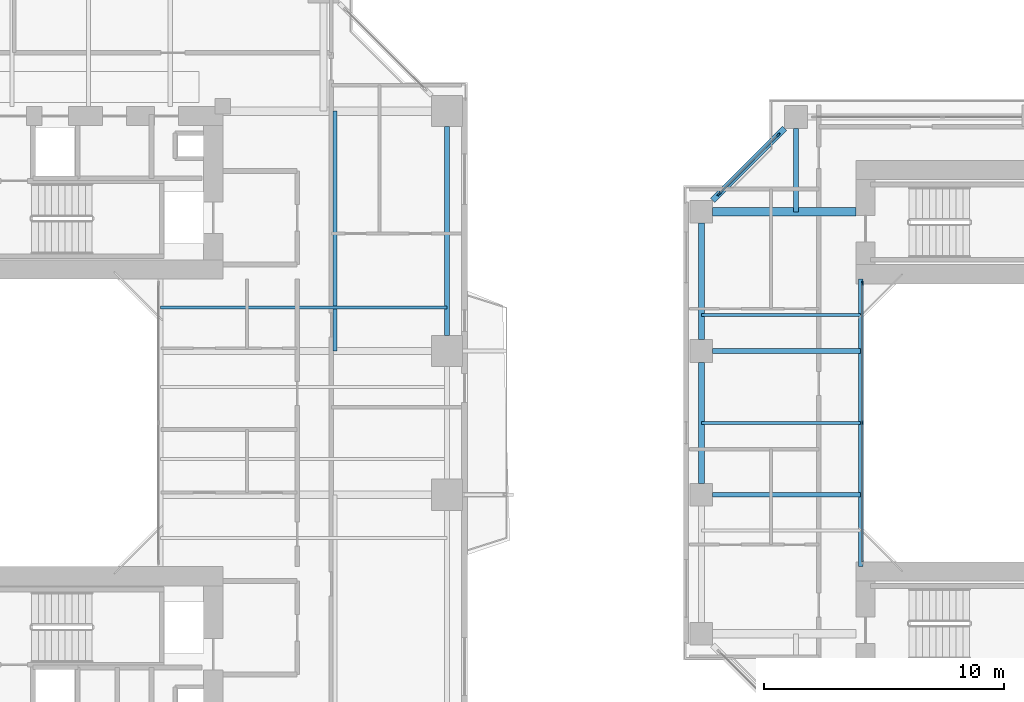
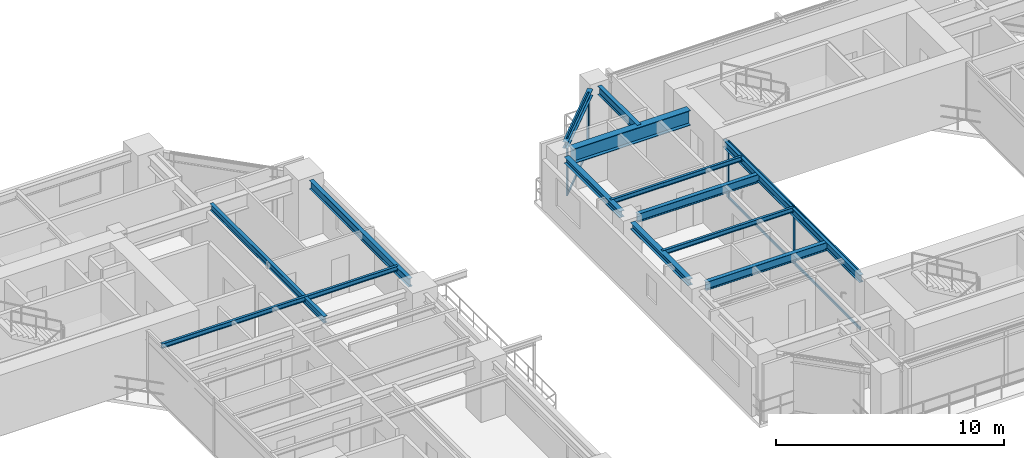
# One storey, part 8 of 23: 13 beams, 10 members, 2 elements without a shape of their own.
"""IFC4 building model written with IfcOpenShell, lengths in metres."""

from ifc_helpers import new_model, si_unit, direction, frame, origin, origin_2d, place, context, subcontext, project, spatial, rectangle, i_section, extrude, source, transform, mapped, material, layer, layer_set, material_profile, profile_set, type_object, element, aggregate, save


model = new_model("IFC4")

# Units and contexts
model_context = context("Model", 3, precision=1e-05, world=origin(), true_north=direction((0.0, 1.0)))
body_context = subcontext(model_context, "Body", "Model", "MODEL_VIEW")
ifc_project = project(units=[si_unit("LENGTHUNIT", "METRE"), si_unit("AREAUNIT", "SQUARE_METRE"), si_unit("VOLUMEUNIT", "CUBIC_METRE"), si_unit("PLANEANGLEUNIT", "RADIAN"), si_unit("MASSUNIT", "GRAM", prefix="KILO"), si_unit("THERMODYNAMICTEMPERATUREUNIT", "KELVIN"), si_unit("POWERUNIT", "WATT")], contexts=[model_context])

# Site, building, storey
site_placement = place(None, origin())
site = spatial("IfcSite", under=ifc_project, at=site_placement, CompositionType="ELEMENT")
building_placement = place(site_placement, origin())
building = spatial("IfcBuilding", under=site, at=building_placement, Name="Qiaomeng Ring Towers", CompositionType="ELEMENT")
storey_placement = place(building_placement, frame((0.0, 0.0, 26.25)))
storey = spatial("IfcBuildingStorey", under=building, at=storey_placement, Name="L06", CompositionType="ELEMENT", Elevation=26.25)

# Beams
ifc_material_1 = material(Name="Steel Q355B", Category="steel")
ifc_material_profile_1 = material_profile(ifc_material_1, i_section(OverallWidth=0.199951171875, OverallDepth=0.449951171875, WebThickness=0.009033203125, FlangeThickness=0.013916015625, FilletRadius=0.01806640625, at=origin_2d()), Name="HN 450x200x9x14")
ifc_profile_set_1 = profile_set([ifc_material_profile_1], Name="Steel Q355B")
beam_type_1 = type_object("IfcBeamType", Name="STR-BM-HN450", PredefinedType="SPANDREL", material=ifc_profile_set_1)
shared_shape_1 = source(origin(), body_context, "Body", "SweptSolid", [
    extrude(i_section(OverallWidth=0.199951171875, OverallDepth=0.449951171875, WebThickness=0.009033203125, FlangeThickness=0.013916015625, FilletRadius=0.01806640625, at=origin_2d()), origin(), (0.0, 0.0, 1.0), 8.7021484375),
])
beam_1_placement = place(storey_placement, frame((37.14990234375, 26.64892578125, 2.844970703125), z_axis=(0.0, 1.0, 0.0), x_axis=(-1.0, 0.0, 0.0)))
element("IfcBeam", 1, at=beam_1_placement, inside=storey, type_object=beam_type_1, Name="L06 beam STR-SP-L06-T1-E3-E4", PredefinedType="SPANDREL", context=body_context, shape_type="MappedRepresentation", body=[
    mapped(shared_shape_1, transform((0.0, 0.0, 0.0), x_axis=(1.0, 0.0, 0.0), y_axis=(0.0, 1.0, 0.0), z_axis=(0.0, 0.0, 1.0), scale=1.0)),
])
ifc_material_profile_2 = material_profile(ifc_material_1, i_section(OverallWidth=0.25, OverallDepth=0.340087890625, WebThickness=0.009033203125, FlangeThickness=0.013916015625, FilletRadius=0.02001953125, at=origin_2d()), Name="HM 340x250x9x14")
ifc_profile_set_2 = profile_set([ifc_material_profile_2], Name="Steel Q355B")
beam_type_2 = type_object("IfcBeamType", Name="STR-BM-HM340", PredefinedType="SPANDREL", material=ifc_profile_set_2)
shared_shape_2 = source(origin(), body_context, "Body", "SweptSolid", [
    extrude(i_section(OverallWidth=0.25, OverallDepth=0.340087890625, WebThickness=0.009033203125, FlangeThickness=0.013916015625, FilletRadius=0.02001953125, at=origin_2d()), origin(), (0.0, 0.0, 1.0), 4.244384765625),
])
beam_2_placement = place(storey_placement, frame((51.2255859375, 35.275634765625, 2.89990234375), z_axis=(-0.707106781187, -0.707106781187, 0.0), x_axis=(0.707106781187, -0.707106781187, 0.0)))
element("IfcBeam", 2, at=beam_2_placement, inside=storey, type_object=beam_type_2, Name="L06 beam STR-SP-L06-T2-N1-W4", PredefinedType="SPANDREL", context=body_context, shape_type="MappedRepresentation", body=[
    mapped(shared_shape_2, transform((0.0, 0.0, 0.0), x_axis=(1.0, 0.0, 0.0), y_axis=(0.0, 1.0, 0.0), z_axis=(0.0, 0.0, 1.0), scale=1.0)),
])
shared_shape_3 = source(origin(), body_context, "Body", "SweptSolid", [
    extrude(i_section(OverallWidth=0.25, OverallDepth=0.340087890625, WebThickness=0.009033203125, FlangeThickness=0.013916015625, FilletRadius=0.02001953125, at=origin_2d()), origin(), (0.0, 0.0, 1.0), 4.851806640625),
])
beam_3_placement = place(storey_placement, frame((47.75, 31.325927734375, 2.89990234375), z_axis=(0.0, -1.0, 0.0), x_axis=(1.0, 0.0, 0.0)))
element("IfcBeam", 3, at=beam_3_placement, inside=storey, type_object=beam_type_2, Name="L06 beam STR-SP-L06-T2-W4-W3", PredefinedType="SPANDREL", context=body_context, shape_type="MappedRepresentation", body=[
    mapped(shared_shape_3, transform((0.0, 0.0, 0.0), x_axis=(1.0, 0.0, 0.0), y_axis=(0.0, 1.0, 0.0), z_axis=(0.0, 0.0, 1.0), scale=1.0)),
])
shared_shape_4 = source(origin(), body_context, "Body", "SweptSolid", [
    extrude(i_section(OverallWidth=0.25, OverallDepth=0.340087890625, WebThickness=0.009033203125, FlangeThickness=0.013916015625, FilletRadius=0.02001953125, at=origin_2d()), origin(), (0.0, 0.0, 1.0), 5.0517578125),
])
beam_4_placement = place(storey_placement, frame((47.75, 25.52587890625, 2.89990234375), z_axis=(0.0, -1.0, 0.0), x_axis=(1.0, 0.0, 0.0)))
element("IfcBeam", 4, at=beam_4_placement, inside=storey, type_object=beam_type_2, Name="L06 beam STR-SP-L06-T2-W3-W2", PredefinedType="SPANDREL", context=body_context, shape_type="MappedRepresentation", body=[
    mapped(shared_shape_4, transform((0.0, 0.0, 0.0), x_axis=(1.0, 0.0, 0.0), y_axis=(0.0, 1.0, 0.0), z_axis=(0.0, 0.0, 1.0), scale=1.0)),
])
ifc_material_profile_3 = material_profile(ifc_material_1, i_section(OverallWidth=0.199951171875, OverallDepth=0.39990234375, WebThickness=0.008056640625, FlangeThickness=0.012939453125, FilletRadius=0.01611328125, at=origin_2d()), Name="HN 400x200x8x13")
ifc_profile_set_3 = profile_set([ifc_material_profile_3], Name="Steel Q355B")
beam_type_3 = type_object("IfcBeamType", Name="STR-BM-HN400", PredefinedType="SPANDREL", material=ifc_profile_set_3)
shared_shape_5 = source(origin(), body_context, "Body", "SweptSolid", [
    extrude(i_section(OverallWidth=0.199951171875, OverallDepth=0.39990234375, WebThickness=0.008056640625, FlangeThickness=0.012939453125, FilletRadius=0.01611328125, at=origin_2d()), origin(), (0.0, 0.0, 1.0), 12.0),
])
beam_5_placement = place(storey_placement, frame((54.39990234375, 17.0, 2.8701171875), z_axis=(0.0, 1.0, 0.0), x_axis=(-1.0, 0.0, 0.0)))
element("IfcBeam", 5, at=beam_5_placement, inside=storey, type_object=beam_type_3, Name="L06 beam STR-BM-L06-T2-WELL-W", PredefinedType="SPANDREL", context=body_context, shape_type="MappedRepresentation", body=[
    mapped(shared_shape_5, transform((0.0, 0.0, 0.0), x_axis=(1.0, 0.0, 0.0), y_axis=(0.0, 1.0, 0.0), z_axis=(0.0, 0.0, 1.0), scale=1.0)),
])
ifc_material_2 = material(Name="Steel Q390GJC", Category="steel")
ifc_material_profile_4 = material_profile(ifc_material_2, i_section(OverallWidth=0.35009765625, OverallDepth=0.800048828125, WebThickness=0.01611328125, FlangeThickness=0.028076171875, at=origin_2d()), Name="WH 800x350x16x28")
ifc_profile_set_4 = profile_set([ifc_material_profile_4], Name="Steel Q390GJC")
beam_type_4 = type_object("IfcBeamType", Name="STR-BM-WH800", PredefinedType="BEAM", material=ifc_profile_set_4)
shared_shape_6 = source(origin(), body_context, "Body", "SweptSolid", [
    extrude(i_section(OverallWidth=0.35009765625, OverallDepth=0.800048828125, WebThickness=0.01611328125, FlangeThickness=0.028076171875, at=origin_2d()), origin(), (0.0, 0.0, 1.0), 5.975830078125),
])
beam_6_placement = place(storey_placement, frame((48.22412109375, 31.800048828125, 2.669921875), z_axis=(1.0, 0.0, 0.0), x_axis=(0.0, 1.0, 0.0)))
element("IfcBeam", 6, at=beam_6_placement, inside=storey, type_object=beam_type_4, Name="L06 beam STR-BM-L06-T2-RAD-W4", PredefinedType="BEAM", context=body_context, shape_type="MappedRepresentation", body=[
    mapped(shared_shape_6, transform((0.0, 0.0, 0.0), x_axis=(1.0, 0.0, 0.0), y_axis=(0.0, 1.0, 0.0), z_axis=(0.0, 0.0, 1.0), scale=1.0)),
])
shared_shape_7 = source(origin(), body_context, "Body", "SweptSolid", [
    extrude(i_section(OverallWidth=0.199951171875, OverallDepth=0.449951171875, WebThickness=0.009033203125, FlangeThickness=0.013916015625, FilletRadius=0.01806640625, at=origin_2d()), origin(), (0.0, 0.0, 1.0), 6.17578125),
])
for number, where, z_axis, x_axis, name in (
    (7, (48.22412109375, 20.0, 2.844970703125), (1.0, 0.0, 0.0), (0.0, 1.0, 0.0), "L06 beam STR-BM-L06-T2-RAD-W2"),
    (8, (48.22412109375, 26.0, 2.844970703125), (1.0, 0.0, 0.0), (0.0, 1.0, 0.0), "L06 beam STR-BM-L06-T2-RAD-W3"),
):
    element("IfcBeam", number, at=place(storey_placement, frame(where, z_axis=z_axis, x_axis=x_axis)), inside=storey, type_object=beam_type_1, Name=name, PredefinedType="SPANDREL", context=body_context, shape_type="MappedRepresentation", body=[
        mapped(shared_shape_7, transform((0.0, 0.0, 0.0), x_axis=(1.0, 0.0, 0.0), y_axis=(0.0, 1.0, 0.0), z_axis=(0.0, 0.0, 1.0), scale=1.0)),
    ])
shared_shape_8 = source(origin(), body_context, "Body", "SweptSolid", [
    extrude(i_section(OverallWidth=0.199951171875, OverallDepth=0.449951171875, WebThickness=0.009033203125, FlangeThickness=0.013916015625, FilletRadius=0.01806640625, at=origin_2d()), origin(), (0.0, 0.0, 1.0), 3.475830078125),
])
beam_7_placement = place(storey_placement, frame((51.699951171875, 35.27587890625, 2.844970703125), z_axis=(0.0, -1.0, 0.0), x_axis=(1.0, 0.0, 0.0)))
element("IfcBeam", 9, at=beam_7_placement, inside=storey, type_object=beam_type_1, Name="L06 beam STR-BM-L06-T2-RAD-N1", PredefinedType="SPANDREL", context=body_context, shape_type="MappedRepresentation", body=[
    mapped(shared_shape_8, transform((0.0, 0.0, 0.0), x_axis=(1.0, 0.0, 0.0), y_axis=(0.0, 1.0, 0.0), z_axis=(0.0, 0.0, 1.0), scale=1.0)),
])
ifc_material_profile_5 = material_profile(ifc_material_1, i_section(OverallWidth=0.125, OverallDepth=0.25, WebThickness=0.006103515625, FlangeThickness=0.009033203125, FilletRadius=0.011962890625, at=origin_2d()), Name="HN 250x125x6x9")
ifc_profile_set_5 = profile_set([ifc_material_profile_5], Name="Steel Q355B")
beam_type_5 = type_object("IfcBeamType", Name="STR-BM-HN250", PredefinedType="JOIST", material=ifc_profile_set_5)
shared_shape_9 = source(origin(), body_context, "Body", "SweptSolid", [
    extrude(i_section(OverallWidth=0.125, OverallDepth=0.25, WebThickness=0.006103515625, FlangeThickness=0.009033203125, FilletRadius=0.011962890625, at=origin_2d()), origin(), (0.0, 0.0, 1.0), 11.949951171875),
])
beam_8_placement = place(storey_placement, frame((25.199951171875, 27.800048828125, 2.945068359375), z_axis=(1.0, 0.0, 0.0), x_axis=(0.0, 1.0, 0.0)))
element("IfcBeam", 10, at=beam_8_placement, inside=storey, type_object=beam_type_5, Name="L06 beam STR-JST-L06-T1E-4", PredefinedType="JOIST", context=body_context, shape_type="MappedRepresentation", body=[
    mapped(shared_shape_9, transform((0.0, 0.0, 0.0), x_axis=(1.0, 0.0, 0.0), y_axis=(0.0, 1.0, 0.0), z_axis=(0.0, 0.0, 1.0), scale=1.0)),
])
ifc_material_profile_6 = material_profile(ifc_material_1, i_section(OverallWidth=0.175048828125, OverallDepth=0.35009765625, WebThickness=0.007080078125, FlangeThickness=0.010986328125, FilletRadius=0.013916015625, at=origin_2d()), Name="HN 350x175x7x11")
ifc_profile_set_6 = profile_set([ifc_material_profile_6], Name="Steel Q355B")
beam_type_6 = type_object("IfcBeamType", Name="STR-BM-HN350", PredefinedType="JOIST", material=ifc_profile_set_6)
shared_shape_10 = source(origin(), body_context, "Body", "SweptSolid", [
    extrude(i_section(OverallWidth=0.175048828125, OverallDepth=0.35009765625, WebThickness=0.007080078125, FlangeThickness=0.010986328125, FilletRadius=0.013916015625, at=origin_2d()), origin(), (0.0, 0.0, 1.0), 10.0),
])
beam_9_placement = place(storey_placement, frame((32.47509765625, 26.0, 2.89501953125), z_axis=(0.0, 1.0, 0.0), x_axis=(-1.0, 0.0, 0.0)))
element("IfcBeam", 11, at=beam_9_placement, inside=storey, type_object=beam_type_6, Name="L06 beam STR-JST-L06-T1C-EN", PredefinedType="JOIST", context=body_context, shape_type="MappedRepresentation", body=[
    mapped(shared_shape_10, transform((0.0, 0.0, 0.0), x_axis=(1.0, 0.0, 0.0), y_axis=(0.0, 1.0, 0.0), z_axis=(0.0, 0.0, 1.0), scale=1.0)),
])
shared_shape_11 = source(origin(), body_context, "Body", "SweptSolid", [
    extrude(i_section(OverallWidth=0.125, OverallDepth=0.25, WebThickness=0.006103515625, FlangeThickness=0.009033203125, FilletRadius=0.011962890625, at=origin_2d()), origin(), (0.0, 0.0, 1.0), 6.64990234375),
])
for number, where, z_axis, x_axis, name in (
    (12, (47.75, 23.0, 2.945068359375), (1.0, 0.0, 0.0), (0.0, 1.0, 0.0), "L06 beam STR-JST-L06-T2W-2"),
    (13, (47.75, 27.5, 2.945068359375), (1.0, 0.0, 0.0), (0.0, 1.0, 0.0), "L06 beam STR-JST-L06-T2W-3"),
):
    element("IfcBeam", number, at=place(storey_placement, frame(where, z_axis=z_axis, x_axis=x_axis)), inside=storey, type_object=beam_type_5, Name=name, PredefinedType="JOIST", context=body_context, shape_type="MappedRepresentation", body=[
        mapped(shared_shape_11, transform((0.0, 0.0, 0.0), x_axis=(1.0, 0.0, 0.0), y_axis=(0.0, 1.0, 0.0), z_axis=(0.0, 0.0, 1.0), scale=1.0)),
    ])

# Curtain wall, members
ifc_material_3 = material(Name="Fluorocarbon dark-grey aluminium", Category="aluminium")
ifc_layer_1 = layer(ifc_material_3, 0.139892578125, Name="Fluorocarbon dark-grey aluminium")
ifc_layer_set_1 = layer_set([ifc_layer_1], Name="Fluorocarbon dark-grey aluminium")
curtain_wall_type_1 = type_object("IfcCurtainWallType", Name="ARC-CW-4", PredefinedType="NOTDEFINED", material=ifc_layer_set_1)
curtain_wall_1_placement = place(storey_placement, origin())
curtain_wall_1 = element("IfcCurtainWall", 14, at=curtain_wall_1_placement, inside=storey, type_object=curtain_wall_type_1, Name="L06 Curtain Wall CW4", PredefinedType="NOTDEFINED")
ifc_material_profile_7 = material_profile(ifc_material_3, rectangle(XDim=0.06494140625, YDim=0.159912109375, at=origin_2d()), Name="ALU MULL 65x160")
ifc_profile_set_7 = profile_set([ifc_material_profile_7], Name="Fluorocarbon dark-grey aluminium")
member_type_1 = type_object("IfcMemberType", Name="ARC-CWM-140", PredefinedType="MULLION", material=ifc_profile_set_7)
shared_shape_12 = source(origin(), body_context, "Body", "SweptSolid", [
    extrude(rectangle(XDim=0.06494140625, YDim=0.159912109375, at=origin_2d()), origin(), (0.0, 0.0, 1.0), 3.070068359375),
])
member_1_placement = place(storey_placement, frame((54.47998046875, 23.0, 0.0), z_axis=(0.0, 0.0, 1.0), x_axis=(-1.0, 0.0, 0.0)))
member_1 = element("IfcMember", 15, at=member_1_placement, type_object=member_type_1, Name="CW4 mullion 2", PredefinedType="MULLION", context=body_context, shape_type="MappedRepresentation", body=[
    mapped(shared_shape_12, transform((0.0, 0.0, 0.0), x_axis=(1.0, 0.0, 0.0), y_axis=(0.0, 1.0, 0.0), z_axis=(0.0, 0.0, 1.0), scale=1.0)),
])
member_2_placement = place(storey_placement, frame((54.47998046875, 28.8173828125, 0.0), z_axis=(0.0, 0.0, 1.0), x_axis=(-1.0, 0.0, 0.0)))
member_2 = element("IfcMember", 16, at=member_2_placement, type_object=member_type_1, Name="CW4 mullion 3", PredefinedType="MULLION", context=body_context, shape_type="MappedRepresentation", body=[
    mapped(shared_shape_12, transform((0.0, 0.0, 0.0), x_axis=(1.0, 0.0, 0.0), y_axis=(0.0, 1.0, 0.0), z_axis=(0.0, 0.0, 1.0), scale=1.0)),
])
ifc_material_profile_8 = material_profile(ifc_material_3, rectangle(XDim=0.06494140625, YDim=0.1298828125, at=origin_2d()), Name="ALU TRAN 65x130")
ifc_profile_set_8 = profile_set([ifc_material_profile_8], Name="Fluorocarbon dark-grey aluminium")
member_type_2 = type_object("IfcMemberType", Name="ARC-CWT-120", PredefinedType="USERDEFINED", material=ifc_profile_set_8)
shared_shape_13 = source(origin(), body_context, "Body", "SweptSolid", [
    extrude(rectangle(XDim=0.06494140625, YDim=0.1298828125, at=origin_2d()), origin(), (0.0, 0.0, 1.0), 5.75244140625),
])
member_3_placement = place(storey_placement, frame((54.47998046875, 17.215087890625, 0.032470703125), z_axis=(0.0, 1.0, 0.0), x_axis=(-1.0, 0.0, 0.0)))
member_3 = element("IfcMember", 17, at=member_3_placement, type_object=member_type_2, Name="CW4 transom 1.1", ObjectType="TRANSOM", PredefinedType="USERDEFINED", context=body_context, shape_type="MappedRepresentation", body=[
    mapped(shared_shape_13, transform((0.0, 0.0, 0.0), x_axis=(1.0, 0.0, 0.0), y_axis=(0.0, 1.0, 0.0), z_axis=(0.0, 0.0, 1.0), scale=1.0)),
])
member_4_placement = place(storey_placement, frame((54.47998046875, 17.215087890625, 3.03759765625), z_axis=(0.0, 1.0, 0.0), x_axis=(-1.0, 0.0, 0.0)))
member_4 = element("IfcMember", 18, at=member_4_placement, type_object=member_type_2, Name="CW4 transom 1.2", ObjectType="TRANSOM", PredefinedType="USERDEFINED", context=body_context, shape_type="MappedRepresentation", body=[
    mapped(shared_shape_13, transform((0.0, 0.0, 0.0), x_axis=(1.0, 0.0, 0.0), y_axis=(0.0, 1.0, 0.0), z_axis=(0.0, 0.0, 1.0), scale=1.0)),
])
member_5_placement = place(storey_placement, frame((54.47998046875, 23.032470703125, 0.032470703125), z_axis=(0.0, 1.0, 0.0), x_axis=(-1.0, 0.0, 0.0)))
member_5 = element("IfcMember", 19, at=member_5_placement, type_object=member_type_2, Name="CW4 transom 2.1", ObjectType="TRANSOM", PredefinedType="USERDEFINED", context=body_context, shape_type="MappedRepresentation", body=[
    mapped(shared_shape_13, transform((0.0, 0.0, 0.0), x_axis=(1.0, 0.0, 0.0), y_axis=(0.0, 1.0, 0.0), z_axis=(0.0, 0.0, 1.0), scale=1.0)),
])
member_6_placement = place(storey_placement, frame((54.47998046875, 23.032470703125, 3.03759765625), z_axis=(0.0, 1.0, 0.0), x_axis=(-1.0, 0.0, 0.0)))
member_6 = element("IfcMember", 20, at=member_6_placement, type_object=member_type_2, Name="CW4 transom 2.2", ObjectType="TRANSOM", PredefinedType="USERDEFINED", context=body_context, shape_type="MappedRepresentation", body=[
    mapped(shared_shape_13, transform((0.0, 0.0, 0.0), x_axis=(1.0, 0.0, 0.0), y_axis=(0.0, 1.0, 0.0), z_axis=(0.0, 0.0, 1.0), scale=1.0)),
])
aggregate(curtain_wall_1, [member_1, member_2, member_3, member_4, member_5, member_6])

ifc_layer_2 = layer(ifc_material_3, 0.14990234375, Name="Fluorocarbon dark-grey aluminium")
ifc_layer_set_2 = layer_set([ifc_layer_2], Name="Fluorocarbon dark-grey aluminium")
curtain_wall_type_2 = type_object("IfcCurtainWallType", Name="ARC-CW-5", PredefinedType="NOTDEFINED", material=ifc_layer_set_2)
curtain_wall_2_placement = place(storey_placement, origin())
curtain_wall_2 = element("IfcCurtainWall", 21, at=curtain_wall_2_placement, inside=storey, type_object=curtain_wall_type_2, Name="L06 Curtain Wall CW5", PredefinedType="NOTDEFINED")
ifc_material_profile_9 = material_profile(ifc_material_3, rectangle(XDim=0.070068359375, YDim=0.179931640625, at=origin_2d()), Name="ALU MULL 70x180")
ifc_profile_set_9 = profile_set([ifc_material_profile_9], Name="Fluorocarbon dark-grey aluminium")
member_type_3 = type_object("IfcMemberType", Name="ARC-CWM-160", PredefinedType="MULLION", material=ifc_profile_set_9)
shared_shape_14 = source(origin(), body_context, "Body", "SweptSolid", [
    extrude(rectangle(XDim=0.070068359375, YDim=0.179931640625, at=origin_2d()), origin(), (0.0, 0.0, 1.0), 3.070068359375),
])
member_7_placement = place(storey_placement, frame((50.960205078125, 35.01025390625, 0.0), z_axis=(0.0, 0.0, 1.0), x_axis=(0.707106781187, -0.707106781187, 0.0)))
member_7 = element("IfcMember", 22, at=member_7_placement, type_object=member_type_3, Name="CW5 mullion 1", PredefinedType="MULLION", context=body_context, shape_type="MappedRepresentation", body=[
    mapped(shared_shape_14, transform((0.0, 0.0, 0.0), x_axis=(1.0, 0.0, 0.0), y_axis=(0.0, 1.0, 0.0), z_axis=(0.0, 0.0, 1.0), scale=1.0)),
])
member_8_placement = place(storey_placement, frame((48.48974609375, 32.539794921875, 0.0), z_axis=(0.0, 0.0, 1.0), x_axis=(0.707106781187, -0.707106781187, 0.0)))
member_8 = element("IfcMember", 23, at=member_8_placement, type_object=member_type_3, Name="CW5 mullion 2", PredefinedType="MULLION", context=body_context, shape_type="MappedRepresentation", body=[
    mapped(shared_shape_14, transform((0.0, 0.0, 0.0), x_axis=(1.0, 0.0, 0.0), y_axis=(0.0, 1.0, 0.0), z_axis=(0.0, 0.0, 1.0), scale=1.0)),
])
shared_shape_15 = source(origin(), body_context, "Body", "SweptSolid", [
    extrude(rectangle(XDim=0.06494140625, YDim=0.1298828125, at=origin_2d()), origin(), (0.0, 0.0, 1.0), 3.424072265625),
])
member_9_placement = place(storey_placement, frame((50.935546875, 34.985595703125, 0.032470703125), z_axis=(-0.707106781187, -0.707106781187, 0.0), x_axis=(0.707106781187, -0.707106781187, 0.0)))
member_9 = element("IfcMember", 24, at=member_9_placement, type_object=member_type_2, Name="CW5 transom 1.1", ObjectType="TRANSOM", PredefinedType="USERDEFINED", context=body_context, shape_type="MappedRepresentation", body=[
    mapped(shared_shape_15, transform((0.0, 0.0, 0.0), x_axis=(1.0, 0.0, 0.0), y_axis=(0.0, 1.0, 0.0), z_axis=(0.0, 0.0, 1.0), scale=1.0)),
])
member_10_placement = place(storey_placement, frame((50.935546875, 34.985595703125, 3.03759765625), z_axis=(-0.707106781187, -0.707106781187, 0.0), x_axis=(0.707106781187, -0.707106781187, 0.0)))
member_10 = element("IfcMember", 25, at=member_10_placement, type_object=member_type_2, Name="CW5 transom 1.2", ObjectType="TRANSOM", PredefinedType="USERDEFINED", context=body_context, shape_type="MappedRepresentation", body=[
    mapped(shared_shape_15, transform((0.0, 0.0, 0.0), x_axis=(1.0, 0.0, 0.0), y_axis=(0.0, 1.0, 0.0), z_axis=(0.0, 0.0, 1.0), scale=1.0)),
])
aggregate(curtain_wall_2, [member_7, member_8, member_9, member_10])

save(model, "model.ifc")
